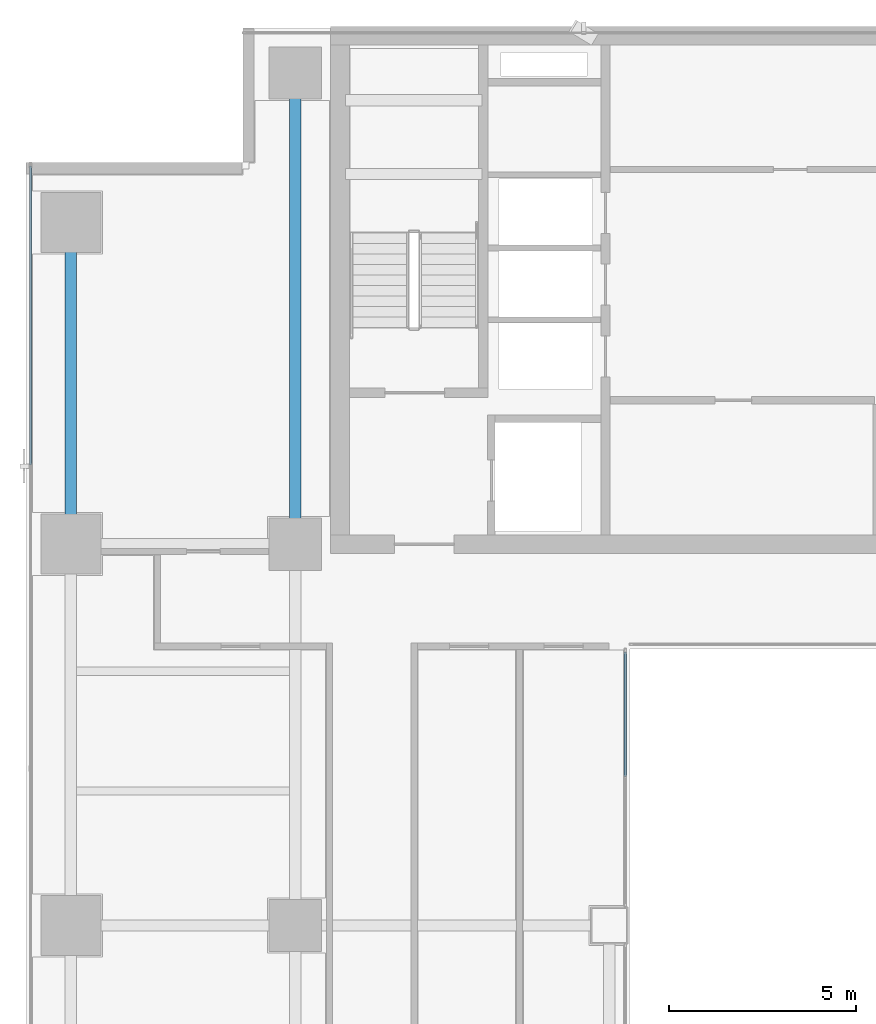
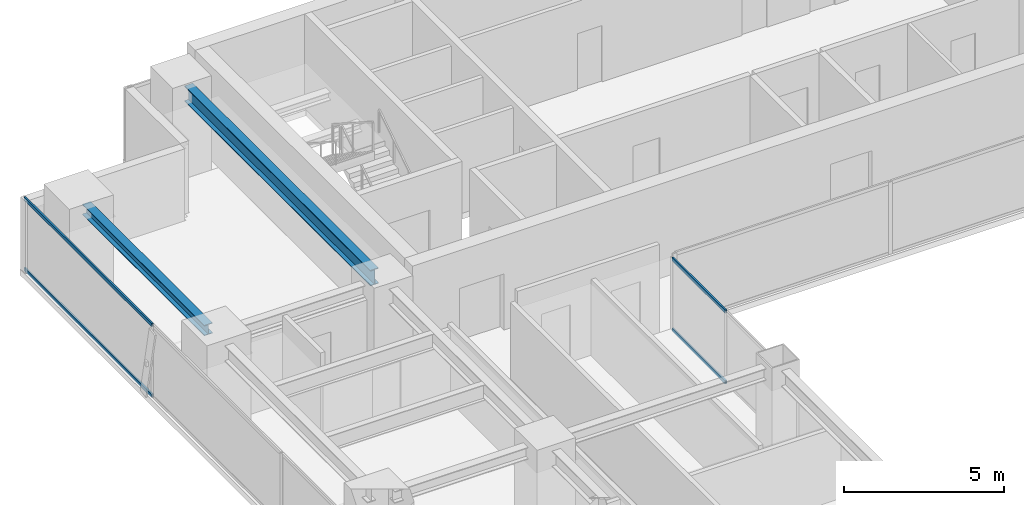
# One storey, part 9 of 31: 4 members, 2 beams, 2 elements without a shape of their own.
"""IFC4 building model written with IfcOpenShell, lengths in metres."""

from ifc_helpers import new_model, si_unit, direction, frame, origin, origin_2d, place, context, subcontext, project, spatial, hollow_rectangle, i_section, extrude, source, transform, mapped, material, layer, layer_set, material_profile, profile_set, type_object, element, aggregate, save


model = new_model("IFC4")

# Units and contexts
model_context = context("Model", 3, precision=1e-05, world=origin(), true_north=direction((0.0, 1.0)))
body_context = subcontext(model_context, "Body", "Model", "MODEL_VIEW")
ifc_project = project(units=[si_unit("LENGTHUNIT", "METRE"), si_unit("AREAUNIT", "SQUARE_METRE"), si_unit("VOLUMEUNIT", "CUBIC_METRE"), si_unit("PLANEANGLEUNIT", "RADIAN"), si_unit("MASSUNIT", "GRAM", prefix="KILO")], contexts=[model_context])

# Site, building, storey
site_placement = place(None, origin())
site = spatial("IfcSite", under=ifc_project, at=site_placement, CompositionType="ELEMENT")
building_placement = place(site_placement, origin())
building = spatial("IfcBuilding", under=site, at=building_placement, Name="Sumidabori Civic Tower", CompositionType="ELEMENT")
storey_placement = place(building_placement, frame((0.0, 0.0, 221.60009765625)))
storey = spatial("IfcBuildingStorey", under=building, at=storey_placement, Name="L57", CompositionType="ELEMENT", Elevation=221.60009765625)

# Beams
ifc_material_1 = material(Name="Steel SN490", Category="steel")
ifc_material_profile_1 = material_profile(ifc_material_1, i_section(OverallWidth=0.300048828125, OverallDepth=0.39990234375, WebThickness=0.013427734375, FlangeThickness=0.02392578125, at=origin_2d()), Name="HE 400 B")
ifc_profile_set_1 = profile_set([ifc_material_profile_1], Name="Steel SN490")
beam_type_1 = type_object("IfcBeamType", Name="BM-GIRD-400", PredefinedType="BEAM", material=ifc_profile_set_1)
shared_shape_1 = source(origin(), body_context, "Body", "SweptSolid", [
    extrude(i_section(OverallWidth=0.300048828125, OverallDepth=0.39990234375, WebThickness=0.013427734375, FlangeThickness=0.02392578125, at=origin_2d()), origin(), (0.0, 0.0, 1.0), 7.64013671875),
])
beam_1_placement = place(storey_placement, frame((-22.800048828125, 10.679931640625, 3.179931640625), z_axis=(0.0, 1.0, 0.0), x_axis=(-1.0, 0.0, 0.0)))
element("IfcBeam", 1, at=beam_1_placement, inside=storey, type_object=beam_type_1, Name="Primary Girder L57 GY-13", PredefinedType="BEAM", context=body_context, shape_type="MappedRepresentation", body=[
    mapped(shared_shape_1, transform((0.0, 0.0, 0.0), x_axis=(1.0, 0.0, 0.0), y_axis=(0.0, 1.0, 0.0), z_axis=(0.0, 0.0, 1.0), scale=1.0)),
])
ifc_material_profile_2 = material_profile(ifc_material_1, i_section(OverallWidth=0.300048828125, OverallDepth=0.60009765625, WebThickness=0.015380859375, FlangeThickness=0.030029296875, at=origin_2d()), Name="HE 600 B")
ifc_profile_set_2 = profile_set([ifc_material_profile_2], Name="Steel SN490")
beam_type_2 = type_object("IfcBeamType", Name="BM-GIRD-600", PredefinedType="BEAM", material=ifc_profile_set_2)
shared_shape_2 = source(origin(), body_context, "Body", "SweptSolid", [
    extrude(i_section(OverallWidth=0.300048828125, OverallDepth=0.60009765625, WebThickness=0.015380859375, FlangeThickness=0.030029296875, at=origin_2d()), origin(), (0.0, 0.0, 1.0), 11.64013671875),
])
beam_2_placement = place(storey_placement, frame((-16.800048828125, 10.679931640625, 3.079833984375), z_axis=(0.0, 1.0, 0.0), x_axis=(-1.0, 0.0, 0.0)))
element("IfcBeam", 2, at=beam_2_placement, inside=storey, type_object=beam_type_2, Name="Primary Girder L57 GY-16", PredefinedType="BEAM", context=body_context, shape_type="MappedRepresentation", body=[
    mapped(shared_shape_2, transform((0.0, 0.0, 0.0), x_axis=(1.0, 0.0, 0.0), y_axis=(0.0, 1.0, 0.0), z_axis=(0.0, 0.0, 1.0), scale=1.0)),
])

# Curtain wall, members
ifc_material_2 = material(Name="Anodised Bronze Aluminium AW-6063-T6", Category="aluminium")
ifc_layer_1 = layer(ifc_material_2, 0.179931640625, Name="Anodised Bronze Aluminium AW-6063-T6")
ifc_layer_set_1 = layer_set([ifc_layer_1], Name="Anodised Bronze Aluminium AW-6063-T6")
curtain_wall_type_1 = type_object("IfcCurtainWallType", Name="CW-SYS-4", PredefinedType="NOTDEFINED", material=ifc_layer_set_1)
curtain_wall_1_placement = place(storey_placement, origin())
curtain_wall_1 = element("IfcCurtainWall", 3, at=curtain_wall_1_placement, inside=storey, type_object=curtain_wall_type_1, Name="Curtain Wall CW:L57:R04", PredefinedType="NOTDEFINED")
ifc_material_profile_3 = material_profile(ifc_material_2, hollow_rectangle(XDim=0.06005859375, YDim=0.1298828125, WallThickness=0.0048828125, at=origin_2d()), Name="ALU TRANSOM 130x60")
ifc_profile_set_3 = profile_set([ifc_material_profile_3], Name="Anodised Bronze Aluminium AW-6063-T6")
member_type = type_object("IfcMemberType", Name="CW-TRN-130", PredefinedType="USERDEFINED", material=ifc_profile_set_3)
shared_shape_3 = source(origin(), body_context, "Body", "SweptSolid", [
    extrude(hollow_rectangle(XDim=0.06005859375, YDim=0.1298828125, WallThickness=0.0048828125, at=origin_2d()), origin(), (0.0, 0.0, 1.0), 3.330078125),
])
member_1_placement = place(storey_placement, frame((-7.969970703125, 3.97998046875, 0.02978515625), z_axis=(0.0, 1.0, 0.0), x_axis=(-1.0, 0.0, 0.0)))
member_1 = element("IfcMember", 4, at=member_1_placement, type_object=member_type, Name="CW-4 transom 2.1", ObjectType="TRANSOM", PredefinedType="USERDEFINED", context=body_context, shape_type="MappedRepresentation", body=[
    mapped(shared_shape_3, transform((0.0, 0.0, 0.0), x_axis=(1.0, 0.0, 0.0), y_axis=(0.0, 1.0, 0.0), z_axis=(0.0, 0.0, 1.0), scale=1.0)),
])
member_2_placement = place(storey_placement, frame((-7.969970703125, 3.97998046875, 2.72998046875), z_axis=(0.0, 1.0, 0.0), x_axis=(-1.0, 0.0, 0.0)))
member_2 = element("IfcMember", 5, at=member_2_placement, type_object=member_type, Name="CW-4 transom 2.2", ObjectType="TRANSOM", PredefinedType="USERDEFINED", context=body_context, shape_type="MappedRepresentation", body=[
    mapped(shared_shape_3, transform((0.0, 0.0, 0.0), x_axis=(1.0, 0.0, 0.0), y_axis=(0.0, 1.0, 0.0), z_axis=(0.0, 0.0, 1.0), scale=1.0)),
])
aggregate(curtain_wall_1, [member_1, member_2])

ifc_layer_2 = layer(ifc_material_2, 0.179931640625, Name="Anodised Bronze Aluminium AW-6063-T6")
ifc_layer_set_2 = layer_set([ifc_layer_2], Name="Anodised Bronze Aluminium AW-6063-T6")
curtain_wall_type_2 = type_object("IfcCurtainWallType", Name="CW-SYS-5", PredefinedType="NOTDEFINED", material=ifc_layer_set_2)
curtain_wall_2_placement = place(storey_placement, origin())
curtain_wall_2 = element("IfcCurtainWall", 6, at=curtain_wall_2_placement, inside=storey, type_object=curtain_wall_type_2, Name="Curtain Wall CW:L57:R22", PredefinedType="NOTDEFINED")
shared_shape_4 = source(origin(), body_context, "Body", "SweptSolid", [
    extrude(hollow_rectangle(XDim=0.06005859375, YDim=0.1298828125, WallThickness=0.0048828125, at=origin_2d()), origin(), (0.0, 0.0, 1.0), 7.9951171875),
])
member_3_placement = place(storey_placement, frame((-23.8798828125, 20.31005859375, 0.02978515625), z_axis=(0.0, -1.0, 0.0), x_axis=(1.0, 0.0, 0.0)))
member_3 = element("IfcMember", 7, at=member_3_placement, type_object=member_type, Name="CW-5 transom 1.1", ObjectType="TRANSOM", PredefinedType="USERDEFINED", context=body_context, shape_type="MappedRepresentation", body=[
    mapped(shared_shape_4, transform((0.0, 0.0, 0.0), x_axis=(1.0, 0.0, 0.0), y_axis=(0.0, 1.0, 0.0), z_axis=(0.0, 0.0, 1.0), scale=1.0)),
])
member_4_placement = place(storey_placement, frame((-23.8798828125, 20.31005859375, 2.72998046875), z_axis=(0.0, -1.0, 0.0), x_axis=(1.0, 0.0, 0.0)))
member_4 = element("IfcMember", 8, at=member_4_placement, type_object=member_type, Name="CW-5 transom 1.2", ObjectType="TRANSOM", PredefinedType="USERDEFINED", context=body_context, shape_type="MappedRepresentation", body=[
    mapped(shared_shape_4, transform((0.0, 0.0, 0.0), x_axis=(1.0, 0.0, 0.0), y_axis=(0.0, 1.0, 0.0), z_axis=(0.0, 0.0, 1.0), scale=1.0)),
])
aggregate(curtain_wall_2, [member_3, member_4])

save(model, "model.ifc")
